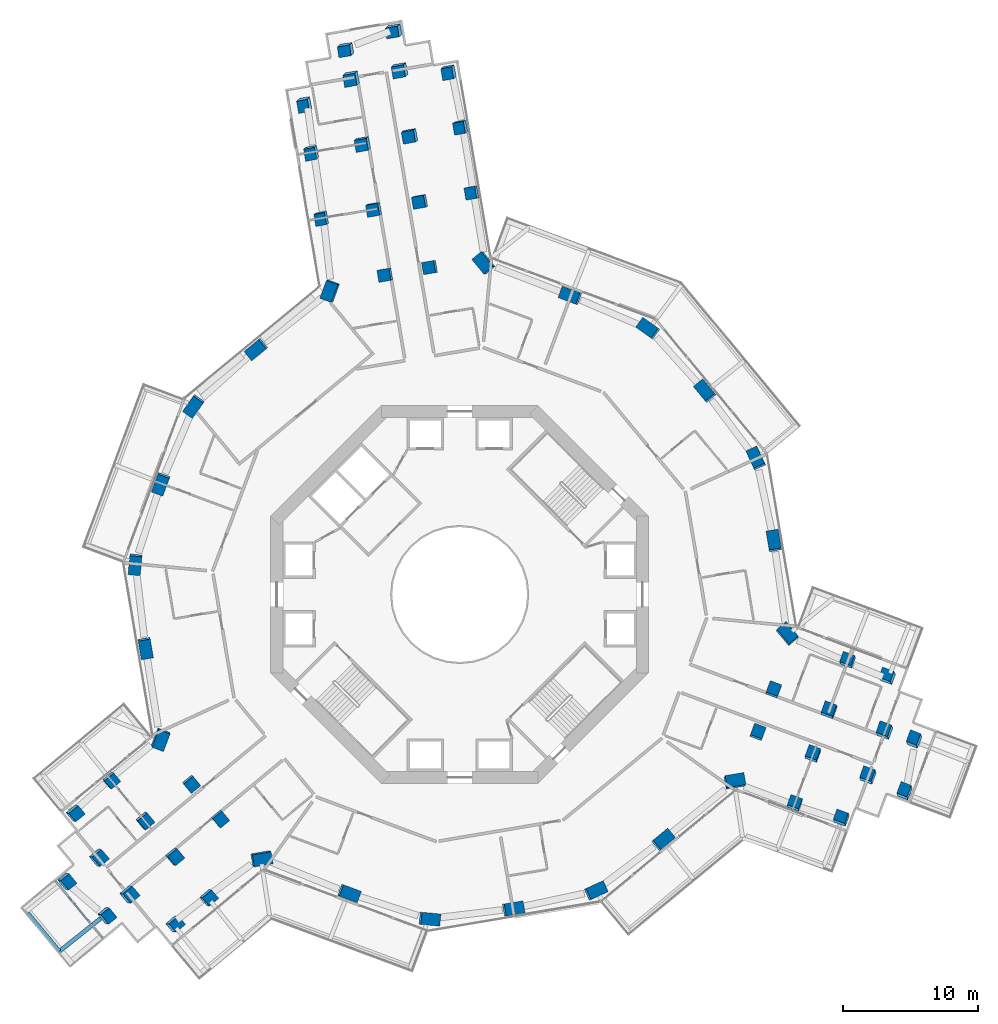
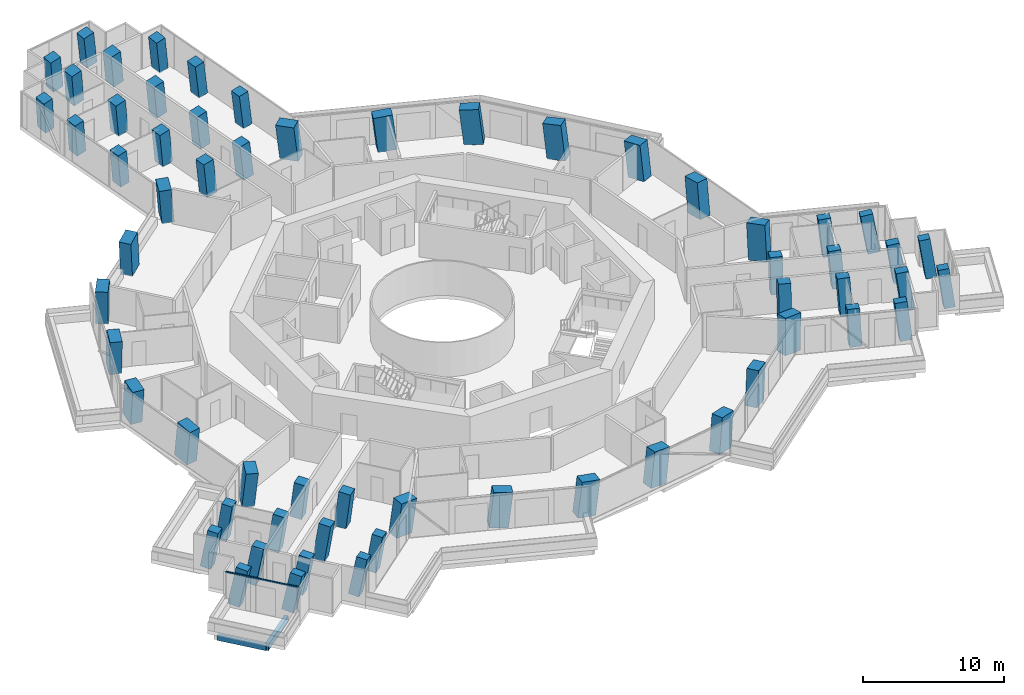
# One storey, part 1 of 27: 61 columns, 2 beams, 1 member, 1 element without a shape of its own.
"""IFC4 building model written with IfcOpenShell, lengths in metres."""

import ifcopenshell
import ifcopenshell.guid

model = None  # the IFC model being written
_history = None  # IfcOwnerHistory: only IFC2X3 demands one
_inside = {}  # id of a spatial element -> (the spatial element, [elements in it])
_under = {}  # id of a project, library or spatial element -> (it, [spatial elements below it])
_declared = {}  # id of a project -> (the project, [libraries it declares])
_typed = {}  # id of a type object -> (the type object, [elements of that type])
_made_of = {}  # id of a material, layer set ... -> (it, [elements and type objects made of it])


def new_model(schema):
    """Start an empty IFC model of exactly this schema.

    Asked for "IFC4X3", IfcOpenShell would pick the latest addendum, in which some entities
    have other attributes; the version numbers below select the first issue.
    IFC2X3 requires an IfcOwnerHistory on every rooted entity: one is made here for all.
    """
    global model, _history
    if schema == "IFC4X3":
        model = ifcopenshell.file(schema_version=(4, 3, 0, 0))
    else:
        model = ifcopenshell.file(schema=schema)
    _inside.clear()
    _under.clear()
    _declared.clear()
    _typed.clear()
    _made_of.clear()
    _history = None
    if model.schema == "IFC2X3":
        org = make("IfcOrganization", Name="unknown")
        user = make(
            "IfcPersonAndOrganization",
            ThePerson=make("IfcPerson", FamilyName="unknown"),
            TheOrganization=org,
        )
        app = make(
            "IfcApplication",
            ApplicationDeveloper=org,
            Version="unknown",
            ApplicationFullName="unknown",
            ApplicationIdentifier="unknown",
        )
        _history = make(
            "IfcOwnerHistory",
            OwningUser=user,
            OwningApplication=app,
            ChangeAction="ADDED",
            CreationDate=0,
        )
    return model


def make(cls, **values):
    """One entity of the class cls with the attributes given. An attribute that is None is left unset."""
    return model.create_entity(
        cls, **{name: value for name, value in values.items() if value is not None}
    )


def rooted(cls, **values):
    """An entity with a GlobalId (a new one), such as an element, a storey or a relation."""
    return make(cls, GlobalId=ifcopenshell.guid.new(), OwnerHistory=_history, **values)


def si_unit(unit_type, name, prefix=None):
    """IfcSIUnit, for example si_unit("LENGTHUNIT", "METRE", prefix="MILLI")."""
    return make("IfcSIUnit", UnitType=unit_type, Prefix=prefix, Name=name)


def assignment(units):
    """IfcUnitAssignment: the units of a project."""
    return None if units is None else make("IfcUnitAssignment", Units=units)


def point(xyz):
    """IfcCartesianPoint."""
    return None if xyz is None else make("IfcCartesianPoint", Coordinates=xyz)


def direction(xyz):
    """IfcDirection."""
    return None if xyz is None else make("IfcDirection", DirectionRatios=xyz)


def frame(location, z_axis=None, x_axis=None):
    """IfcAxis2Placement3D, a coordinate frame: its origin and axes. An axis left out is left unset."""
    return make(
        "IfcAxis2Placement3D",
        Location=point(location),
        Axis=direction(z_axis),
        RefDirection=direction(x_axis),
    )


def frame_2d(location, x_axis=None):
    """IfcAxis2Placement2D, a coordinate frame in the plane: its origin and x axis."""
    return make(
        "IfcAxis2Placement2D", Location=point(location), RefDirection=direction(x_axis)
    )


def origin():
    """The frame at (0, 0, 0) with its axes left unset."""
    return frame((0.0, 0.0, 0.0))


def origin_2d():
    """The frame at (0, 0) in the plane with its x axis left unset."""
    return frame_2d((0.0, 0.0))


def place(relative_to, where):
    """IfcLocalPlacement: puts the frame where relative to a parent placement (None: the world)."""
    return make(
        "IfcLocalPlacement", PlacementRelTo=relative_to, RelativePlacement=where
    )


def context(
    kind, dimensions, precision=None, world=None, true_north=None, identifier=None
):
    """IfcGeometricRepresentationContext, for example the 3D "Model" context."""
    return make(
        "IfcGeometricRepresentationContext",
        ContextIdentifier=identifier,
        ContextType=kind,
        CoordinateSpaceDimension=dimensions,
        Precision=precision,
        WorldCoordinateSystem=world,
        TrueNorth=true_north,
    )


def subcontext(parent, identifier, kind, view, scale=None):
    """IfcGeometricRepresentationSubContext, for example "Body" below "Model"."""
    return make(
        "IfcGeometricRepresentationSubContext",
        ContextIdentifier=identifier,
        ContextType=kind,
        ParentContext=parent,
        TargetScale=scale,
        TargetView=view,
    )


def project(units=None, contexts=None):
    """IfcProject with its units and contexts."""
    return rooted(
        "IfcProject",
        Name="project",
        RepresentationContexts=contexts,
        UnitsInContext=assignment(units),
    )


def spatial(cls, under=None, at=None, **own):
    """A site, building, storey or space (cls), placed at a placement, below another one or the project."""
    s = rooted(cls, ObjectPlacement=at, **own)
    if under is not None:
        _under.setdefault(under.id(), (under, []))[1].append(s)
    return s


def profile(cls, at=None, kind="AREA", **sizes):
    """A parametric profile (cls). Its sizes go by their IFC names, for example OverallWidth=200.0."""
    return make(cls, ProfileType=kind, Position=at, **sizes)


def rectangle(**sizes):
    """IfcRectangleProfileDef."""
    return profile("IfcRectangleProfileDef", **sizes)


def extrude(swept, where, along, depth):
    """IfcExtrudedAreaSolid: the profile swept, set in the frame where, extruded along a direction by depth."""
    return make(
        "IfcExtrudedAreaSolid",
        SweptArea=swept,
        Position=where,
        ExtrudedDirection=direction(along),
        Depth=depth,
    )


def shape(context_of_items, identifier, shape_type, items):
    """IfcShapeRepresentation: the items that make up one representation, for example the "Body"."""
    return make(
        "IfcShapeRepresentation",
        ContextOfItems=context_of_items,
        RepresentationIdentifier=identifier,
        RepresentationType=shape_type,
        Items=items,
    )


def material(Name=None, Category=None):
    """IfcMaterial."""
    return make("IfcMaterial", Name=Name, Category=Category)


def layer(
    of_material, thickness, ventilated=None, Name=None, Category=None, Priority=None
):
    """IfcMaterialLayer: one layer of a wall or slab, of a material (None: an air gap)."""
    return make(
        "IfcMaterialLayer",
        Material=of_material,
        LayerThickness=thickness,
        IsVentilated=ventilated,
        Name=Name,
        Category=Category,
        Priority=Priority,
    )


def layer_set(layers, Name=None):
    """IfcMaterialLayerSet."""
    return make("IfcMaterialLayerSet", MaterialLayers=layers, LayerSetName=Name)


def material_profile(
    of_material, cross_section, Name=None, Category=None, Priority=None
):
    """IfcMaterialProfile: a cross section and its material."""
    return make(
        "IfcMaterialProfile",
        Name=Name,
        Material=of_material,
        Profile=cross_section,
        Priority=Priority,
        Category=Category,
    )


def profile_set(profiles, Name=None, composite=None):
    """IfcMaterialProfileSet."""
    return make(
        "IfcMaterialProfileSet",
        Name=Name,
        MaterialProfiles=profiles,
        CompositeProfile=composite,
    )


def made_of(thing, what):
    """Note that an element or type object is made of a material, layer set ...; save() writes the relation."""
    if what is not None:
        _made_of.setdefault(what.id(), (what, []))[1].append(thing)
    return thing


def type_object(cls, material=None, **own):
    """A type object (cls), such as IfcWallType, which elements share."""
    return made_of(rooted(cls, **own), material)


def element(
    cls,
    number,
    at=None,
    inside=None,
    cuts=None,
    type_object=None,
    material=None,
    context=None,
    identifier="Body",
    shape_type=None,
    held_by="IfcProductDefinitionShape",
    body=None,
    shapes=None,
    **own,
):
    """One element of the class cls, such as IfcWall. Its Tag is "e" and its number.

    at: its placement. inside: the storey or other place that contains it. cuts: it is an
    opening in that element (IfcRelVoidsElement). A single representation is given by context,
    identifier, shape_type and body (its items); several are given by shapes. held_by: the class
    of the entity that holds the representations. save() writes the other relations.
    """
    e = rooted(cls, Tag="e%d" % number, ObjectPlacement=at, **own)
    if body is not None:
        shapes = [shape(context, identifier, shape_type, body)]
    if shapes is not None:
        e.Representation = make(held_by, Representations=shapes)
    if inside is not None:
        _inside.setdefault(inside.id(), (inside, []))[1].append(e)
    if cuts is not None:
        rooted(
            "IfcRelVoidsElement", RelatingBuildingElement=cuts, RelatedOpeningElement=e
        )
    if type_object is not None:
        _typed.setdefault(type_object.id(), (type_object, []))[1].append(e)
    return made_of(e, material)


def aggregate(whole, parts):
    """IfcRelAggregates: a whole, such as a stair, and the parts it consists of."""
    return rooted("IfcRelAggregates", RelatingObject=whole, RelatedObjects=parts)


def save(model, path):
    """Write the relations noted so far, then the file.

    IfcRelAggregates (storeys below a building ...), IfcRelContainedInSpatialStructure (elements
    in a storey), IfcRelDefinesByType, IfcRelAssociatesMaterial and IfcRelDeclares: one each for
    every whole, place, type object, material and project.
    """
    for whole, parts in _under.values():
        aggregate(whole, parts)
    for where, things in _inside.values():
        rooted(
            "IfcRelContainedInSpatialStructure",
            RelatedElements=things,
            RelatingStructure=where,
        )
    for kind, things in _typed.values():
        rooted("IfcRelDefinesByType", RelatedObjects=things, RelatingType=kind)
    for what, things in _made_of.values():
        rooted("IfcRelAssociatesMaterial", RelatedObjects=things, RelatingMaterial=what)
    for by, libraries in _declared.values():
        rooted("IfcRelDeclares", RelatingContext=by, RelatedDefinitions=libraries)
    model.write(path)


model = new_model("IFC4")

# Units and contexts
model_context = context("Model", 3, precision=1e-05, world=origin(), true_north=direction((0.0, 1.0)))
body_context = subcontext(model_context, "Body", "Model", "MODEL_VIEW")
ifc_project = project(units=[si_unit("LENGTHUNIT", "METRE"), si_unit("AREAUNIT", "SQUARE_METRE"), si_unit("VOLUMEUNIT", "CUBIC_METRE"), si_unit("PLANEANGLEUNIT", "RADIAN"), si_unit("MASSUNIT", "GRAM", prefix="KILO")], contexts=[model_context])

# Site, building, storey
site_placement = place(None, origin())
site = spatial("IfcSite", under=ifc_project, at=site_placement, CompositionType="ELEMENT")
building_placement = place(site_placement, origin())
building = spatial("IfcBuilding", under=site, at=building_placement, Name="Verdalira Terraces Hotel", CompositionType="ELEMENT")
storey_placement = place(building_placement, frame((0.0, 0.0, 71.5)))
storey = spatial("IfcBuildingStorey", under=building, at=storey_placement, Name="L16", CompositionType="ELEMENT", Elevation=71.5)

# Columns
ifc_material_1 = material(Name="Concrete C80", Category="concrete")
ifc_material_profile_1 = material_profile(ifc_material_1, rectangle(XDim=1.399902, YDim=0.899902, at=origin_2d()), Name="RC 1400X900")
ifc_profile_set_1 = profile_set([ifc_material_profile_1], Name="Concrete C80")
column_type_1 = type_object("IfcColumnType", Name="Column RC 1400X900 C80", PredefinedType="COLUMN", material=ifc_profile_set_1)
column_1_placement = place(storey_placement, frame((-9.566895, 22.504639, 0.0), z_axis=(-0.10669238, -0.04639502, 0.993209061), x_axis=(0.341232847, 0.93653373, 0.08040346)))
element("IfcColumn", 1, at=column_1_placement, inside=storey, type_object=column_type_1, Name="Column C07", PredefinedType="COLUMN", context=body_context, shape_type="SweptSolid", body=[
    extrude(rectangle(XDim=1.399902, YDim=0.899902, at=origin_2d()), origin(), (0.0, 0.0, 1.0), 3.020508),
])
column_2_placement = place(storey_placement, frame((-15.048584, 18.19043, 0.0), z_axis=(-0.085879498, -0.072294041, 0.993679165), x_axis=(-0.765590624, -0.633458898, -0.112253377)))
element("IfcColumn", 2, at=column_2_placement, inside=storey, type_object=column_type_1, Name="Column C08", PredefinedType="COLUMN", context=body_context, shape_type="SweptSolid", body=[
    extrude(rectangle(XDim=1.399902, YDim=0.899902, at=origin_2d()), origin(), (0.0, 0.0, 1.0), 3.019043),
])
column_3_placement = place(storey_placement, frame((-19.686279, 13.990479, 0.0), z_axis=(-0.065804824, -0.094180123, 0.993377989), x_axis=(0.575853797, 0.809440036, 0.11488791)))
element("IfcColumn", 3, at=column_3_placement, inside=storey, type_object=column_type_1, Name="Column C09", PredefinedType="COLUMN", context=body_context, shape_type="SweptSolid", body=[
    extrude(rectangle(XDim=1.399902, YDim=0.899902, at=origin_2d()), origin(), (0.0, 0.0, 1.0), 3.02002),
])
column_4_placement = place(storey_placement, frame((-22.127686, 8.229248, 0.0), z_axis=(-0.038249246, -0.105609969, 0.993671741), x_axis=(-0.346289556, -0.931379606, -0.112319069)))
element("IfcColumn", 4, at=column_4_placement, inside=storey, type_object=column_type_1, Name="Column C10", PredefinedType="COLUMN", context=body_context, shape_type="SweptSolid", body=[
    extrude(rectangle(XDim=1.399902, YDim=0.899902, at=origin_2d()), origin(), (0.0, 0.0, 1.0), 3.019043),
])
column_5_placement = place(storey_placement, frame((-24.044189, 2.272705, 0.0), z_axis=(-0.009781893, -0.114391555, 0.993387581), x_axis=(0.093037691, 0.989021644, 0.114804947)))
element("IfcColumn", 5, at=column_5_placement, inside=storey, type_object=column_type_1, Name="Column C11", PredefinedType="COLUMN", context=body_context, shape_type="SweptSolid", body=[
    extrude(rectangle(XDim=1.399902, YDim=0.899902, at=origin_2d()), origin(), (0.0, 0.0, 1.0), 3.02002),
])
column_6_placement = place(storey_placement, frame((-23.277588, -3.937012, 0.0), z_axis=(0.019569342, -0.110623387, 0.993669717), x_axis=(0.164784415, -0.979911476, -0.112336973)))
element("IfcColumn", 6, at=column_6_placement, inside=storey, type_object=column_type_1, Name="Column C12", PredefinedType="COLUMN", context=body_context, shape_type="SweptSolid", body=[
    extrude(rectangle(XDim=1.399902, YDim=0.899902, at=origin_2d()), origin(), (0.0, 0.0, 1.0), 3.019043),
])
column_7_placement = place(storey_placement, frame((-22.185303, -10.696045, 0.0), z_axis=(0.051725394, -0.104986385, 0.993127556), x_axis=(0.35372815, 0.931912919, 0.080091867)))
element("IfcColumn", 7, at=column_7_placement, inside=storey, type_object=column_type_1, Name="Column C13", PredefinedType="COLUMN", context=body_context, shape_type="SweptSolid", body=[
    extrude(rectangle(XDim=1.399902, YDim=0.899902, at=origin_2d()), origin(), (0.0, 0.0, 1.0), 3.020752),
])
column_8_placement = place(storey_placement, frame((-14.706055, -19.537598, 0.0), z_axis=(0.09351816, -0.069108061, 0.993216205), x_axis=(-0.981577909, -0.173340331, 0.0803613)))
element("IfcColumn", 8, at=column_8_placement, inside=storey, type_object=column_type_1, Name="Column C20", PredefinedType="COLUMN", context=body_context, shape_type="SweptSolid", body=[
    extrude(rectangle(XDim=1.399902, YDim=0.899902, at=origin_2d()), origin(), (0.0, 0.0, 1.0), 3.020508),
])
column_9_placement = place(storey_placement, frame((-8.229248, -22.127686, 0.0), z_axis=(0.105609969, -0.038249246, 0.993671741), x_axis=(0.931379606, -0.346289556, -0.112319069)))
element("IfcColumn", 9, at=column_9_placement, inside=storey, type_object=column_type_1, Name="Column C21", PredefinedType="COLUMN", context=body_context, shape_type="SweptSolid", body=[
    extrude(rectangle(XDim=1.399902, YDim=0.899902, at=origin_2d()), origin(), (0.0, 0.0, 1.0), 3.019043),
])
column_10_placement = place(storey_placement, frame((-2.272705, -24.044189, 0.0), z_axis=(0.114391555, -0.009781893, 0.993387581), x_axis=(-0.989021644, 0.093037691, 0.114804947)))
element("IfcColumn", 10, at=column_10_placement, inside=storey, type_object=column_type_1, Name="Column C22", PredefinedType="COLUMN", context=body_context, shape_type="SweptSolid", body=[
    extrude(rectangle(XDim=1.399902, YDim=0.899902, at=origin_2d()), origin(), (0.0, 0.0, 1.0), 3.02002),
])
column_11_placement = place(storey_placement, frame((3.937012, -23.277588, 0.0), z_axis=(0.110623387, 0.019569342, 0.993669717), x_axis=(0.979911476, 0.164784415, -0.112336973)))
element("IfcColumn", 11, at=column_11_placement, inside=storey, type_object=column_type_1, Name="Column C23", PredefinedType="COLUMN", context=body_context, shape_type="SweptSolid", body=[
    extrude(rectangle(XDim=1.399902, YDim=0.899902, at=origin_2d()), origin(), (0.0, 0.0, 1.0), 3.019043),
])
column_12_placement = place(storey_placement, frame((10.053711, -21.959229, 0.0), z_axis=(0.104043119, 0.048666634, 0.993381391), x_axis=(-0.903351173, -0.413236233, 0.114858494)))
element("IfcColumn", 12, at=column_12_placement, inside=storey, type_object=column_type_1, Name="Column C24", PredefinedType="COLUMN", context=body_context, shape_type="SweptSolid", body=[
    extrude(rectangle(XDim=1.399902, YDim=0.899902, at=origin_2d()), origin(), (0.0, 0.0, 1.0), 3.02002),
])
column_13_placement = place(storey_placement, frame((15.048584, -18.19043, 0.0), z_axis=(0.085879498, 0.072294041, 0.993679165), x_axis=(0.765590624, 0.633458898, -0.112253377)))
element("IfcColumn", 13, at=column_13_placement, inside=storey, type_object=column_type_1, Name="Column C25", PredefinedType="COLUMN", context=body_context, shape_type="SweptSolid", body=[
    extrude(rectangle(XDim=1.399902, YDim=0.899902, at=origin_2d()), origin(), (0.0, 0.0, 1.0), 3.019043),
])
column_14_placement = place(storey_placement, frame((20.355713, -13.86499, 0.0), z_axis=(0.065060711, 0.097308193, 0.99312548), x_axis=(-0.983911636, -0.159691124, 0.080103921)))
element("IfcColumn", 14, at=column_14_placement, inside=storey, type_object=column_type_1, Name="Column C26", PredefinedType="COLUMN", context=body_context, shape_type="SweptSolid", body=[
    extrude(rectangle(XDim=1.399902, YDim=0.899902, at=origin_2d()), origin(), (0.0, 0.0, 1.0), 3.020752),
])
column_15_placement = place(storey_placement, frame((24.273193, -2.967041, 0.0), z_axis=(0.013094218, 0.115503939, 0.993220711), x_axis=(0.640850903, -0.763450363, 0.080334694)))
element("IfcColumn", 15, at=column_15_placement, inside=storey, type_object=column_type_1, Name="Column C33", PredefinedType="COLUMN", context=body_context, shape_type="SweptSolid", body=[
    extrude(rectangle(XDim=1.399902, YDim=0.899902, at=origin_2d()), origin(), (0.0, 0.0, 1.0), 3.020508),
])
column_16_placement = place(storey_placement, frame((23.277588, 3.937012, 0.0), z_axis=(-0.019569342, 0.110623387, 0.993669717), x_axis=(-0.164784415, 0.979911476, -0.112336973)))
element("IfcColumn", 16, at=column_16_placement, inside=storey, type_object=column_type_1, Name="Column C34", PredefinedType="COLUMN", context=body_context, shape_type="SweptSolid", body=[
    extrude(rectangle(XDim=1.399902, YDim=0.899902, at=origin_2d()), origin(), (0.0, 0.0, 1.0), 3.019043),
])
column_17_placement = place(storey_placement, frame((21.959229, 10.053711, 0.0), z_axis=(-0.048666634, 0.104043119, 0.993381391), x_axis=(0.413236233, -0.903351173, 0.114858494)))
element("IfcColumn", 17, at=column_17_placement, inside=storey, type_object=column_type_1, Name="Column C35", PredefinedType="COLUMN", context=body_context, shape_type="SweptSolid", body=[
    extrude(rectangle(XDim=1.399902, YDim=0.899902, at=origin_2d()), origin(), (0.0, 0.0, 1.0), 3.02002),
])
column_18_placement = place(storey_placement, frame((18.19043, 15.048584, 0.0), z_axis=(-0.072294041, 0.085879498, 0.993679165), x_axis=(-0.633458898, 0.765590624, -0.112253377)))
element("IfcColumn", 18, at=column_18_placement, inside=storey, type_object=column_type_1, Name="Column C36", PredefinedType="COLUMN", context=body_context, shape_type="SweptSolid", body=[
    extrude(rectangle(XDim=1.399902, YDim=0.899902, at=origin_2d()), origin(), (0.0, 0.0, 1.0), 3.019043),
])
column_19_placement = place(storey_placement, frame((13.990479, 19.686279, 0.0), z_axis=(-0.094180123, 0.065804824, 0.993377989), x_axis=(0.809440036, -0.575853797, 0.11488791)))
element("IfcColumn", 19, at=column_19_placement, inside=storey, type_object=column_type_1, Name="Column C37", PredefinedType="COLUMN", context=body_context, shape_type="SweptSolid", body=[
    extrude(rectangle(XDim=1.399902, YDim=0.899902, at=origin_2d()), origin(), (0.0, 0.0, 1.0), 3.02002),
])
column_20_placement = place(storey_placement, frame((8.229248, 22.127686, 0.0), z_axis=(-0.105609969, 0.038249246, 0.993671741), x_axis=(-0.931379606, 0.346289556, -0.112319069)))
element("IfcColumn", 20, at=column_20_placement, inside=storey, type_object=column_type_1, Name="Column C38", PredefinedType="COLUMN", context=body_context, shape_type="SweptSolid", body=[
    extrude(rectangle(XDim=1.399902, YDim=0.899902, at=origin_2d()), origin(), (0.0, 0.0, 1.0), 3.019043),
])
column_21_placement = place(storey_placement, frame((1.82959, 24.561035, 0.0), z_axis=(-0.116786221, 0.007677987, 0.993127397), x_axis=(0.630326935, -0.772187219, 0.08009279)))
element("IfcColumn", 21, at=column_21_placement, inside=storey, type_object=column_type_1, Name="Column C39", PredefinedType="COLUMN", context=body_context, shape_type="SweptSolid", body=[
    extrude(rectangle(XDim=1.399902, YDim=0.899902, at=origin_2d()), origin(), (0.0, 0.0, 1.0), 3.020752),
])
ifc_material_2 = material(Name="Concrete C80", Category="concrete")
ifc_material_profile_2 = material_profile(ifc_material_2, rectangle(XDim=0.899902, YDim=0.800049, at=origin_2d()), Name="RC 900X800")
ifc_profile_set_2 = profile_set([ifc_material_profile_2], Name="Concrete C80")
column_type_2 = type_object("IfcColumnType", Name="Column RC 900X800 C80", PredefinedType="COLUMN", material=ifc_profile_set_2)
column_22_placement = place(storey_placement, frame((0.947998, 29.773193, 0.0), z_axis=(-0.133380788, -0.038362088, 0.990322127), x_axis=(-0.168662477, 0.985552597, 0.015461152)))
element("IfcColumn", 22, at=column_22_placement, inside=storey, type_object=column_type_2, Name="Column C01", PredefinedType="COLUMN", context=body_context, shape_type="SweptSolid", body=[
    extrude(rectangle(XDim=0.899902, YDim=0.800049, at=origin_2d()), origin(), (0.0, 0.0, 1.0), 3.029297),
])
column_23_placement = place(storey_placement, frame((0.124268, 34.644043, 0.0), z_axis=(-0.147959805, -0.083803792, 0.98543636), x_axis=(-0.175664631, 0.982786727, 0.057203034)))
element("IfcColumn", 23, at=column_23_placement, inside=storey, type_object=column_type_2, Name="Column C02", PredefinedType="COLUMN", context=body_context, shape_type="SweptSolid", body=[
    extrude(rectangle(XDim=0.899902, YDim=0.800049, at=origin_2d()), origin(), (0.0, 0.0, 1.0), 3.044434),
])
column_24_placement = place(storey_placement, frame((-0.730713, 38.73877, 0.0), z_axis=(-0.158457491, -0.128662065, 0.978947035), x_axis=(-0.183653648, 0.978012024, 0.098812037)))
element("IfcColumn", 24, at=column_24_placement, inside=storey, type_object=column_type_2, Name="Column C03", PredefinedType="COLUMN", context=body_context, shape_type="SweptSolid", body=[
    extrude(rectangle(XDim=0.899902, YDim=0.800049, at=origin_2d()), origin(), (0.0, 0.0, 1.0), 3.064453),
])
column_25_placement = place(storey_placement, frame((-11.42749, 36.381836, 0.0), z_axis=(-0.14604305, -0.177643471, 0.973197937), x_axis=(0.191273283, -0.970253178, -0.148402502)))
element("IfcColumn", 25, at=column_25_placement, inside=storey, type_object=column_type_2, Name="Column C04", PredefinedType="COLUMN", context=body_context, shape_type="SweptSolid", body=[
    extrude(rectangle(XDim=0.899902, YDim=0.800049, at=origin_2d()), origin(), (0.0, 0.0, 1.0), 3.08252),
])
column_26_placement = place(storey_placement, frame((-10.918945, 32.776123, 0.0), z_axis=(-0.138133233, -0.135178938, 0.98114518), x_axis=(0.182849866, -0.977093433, -0.108877679)))
element("IfcColumn", 26, at=column_26_placement, inside=storey, type_object=column_type_2, Name="Column C05", PredefinedType="COLUMN", context=body_context, shape_type="SweptSolid", body=[
    extrude(rectangle(XDim=0.899902, YDim=0.800049, at=origin_2d()), origin(), (0.0, 0.0, 1.0), 3.057617),
])
column_27_placement = place(storey_placement, frame((-10.183838, 27.890381, 0.0), z_axis=(-0.123759113, -0.090869264, 0.988142934), x_axis=(0.17560442, -0.982087372, -0.068318972)))
element("IfcColumn", 27, at=column_27_placement, inside=storey, type_object=column_type_2, Name="Column C06", PredefinedType="COLUMN", context=body_context, shape_type="SweptSolid", body=[
    extrude(rectangle(XDim=0.899902, YDim=0.800049, at=origin_2d()), origin(), (0.0, 0.0, 1.0), 3.035889),
])
column_28_placement = place(storey_placement, frame((-25.850098, -13.727783, 0.0), z_axis=(0.114422647, -0.080579329, 0.99015879), x_axis=(-0.766781351, -0.640872377, 0.036454845)))
element("IfcColumn", 28, at=column_28_placement, inside=storey, type_object=column_type_2, Name="Column C14", PredefinedType="COLUMN", context=body_context, shape_type="SweptSolid", body=[
    extrude(rectangle(XDim=0.899902, YDim=0.800049, at=origin_2d()), origin(), (0.0, 0.0, 1.0), 3.029785),
])
column_29_placement = place(storey_placement, frame((-28.560303, -16.17749, 0.0), z_axis=(0.173361115, -0.051704192, 0.983500178), x_axis=(-0.757151736, -0.645613392, 0.099521843)))
element("IfcColumn", 29, at=column_29_placement, inside=storey, type_object=column_type_2, Name="Column C15", PredefinedType="COLUMN", context=body_context, shape_type="SweptSolid", body=[
    extrude(rectangle(XDim=0.899902, YDim=0.800049, at=origin_2d()), origin(), (0.0, 0.0, 1.0), 3.050293),
])
column_30_placement = place(storey_placement, frame((-29.194336, -21.231445, 0.0), z_axis=(0.196241765, -0.054179619, 0.979057577), x_axis=(0.613201218, -0.772362588, -0.165651136)))
element("IfcColumn", 30, at=column_30_placement, inside=storey, type_object=column_type_2, Name="Column C16", PredefinedType="COLUMN", context=body_context, shape_type="SweptSolid", body=[
    extrude(rectangle(XDim=0.899902, YDim=0.800049, at=origin_2d()), origin(), (0.0, 0.0, 1.0), 3.064209),
])
column_31_placement = place(storey_placement, frame((-26.238037, -23.769531, 0.0), z_axis=(0.207675788, -0.04016709, 0.977372688), x_axis=(0.611616897, -0.774435399, -0.161785612)))
element("IfcColumn", 31, at=column_31_placement, inside=storey, type_object=column_type_2, Name="Column C17", PredefinedType="COLUMN", context=body_context, shape_type="SweptSolid", body=[
    extrude(rectangle(XDim=0.899902, YDim=0.800049, at=origin_2d()), origin(), (0.0, 0.0, 1.0), 3.069336),
])
column_32_placement = place(storey_placement, frame((-21.184082, -24.403564, 0.0), z_axis=(0.21047841, -0.016465998, 0.977459825), x_axis=(0.747218961, 0.64743007, -0.149993762)))
element("IfcColumn", 32, at=column_32_placement, inside=storey, type_object=column_type_2, Name="Column C18", PredefinedType="COLUMN", context=body_context, shape_type="SweptSolid", body=[
    extrude(rectangle(XDim=0.899902, YDim=0.800049, at=origin_2d()), origin(), (0.0, 0.0, 1.0), 3.069092),
])
column_33_placement = place(storey_placement, frame((-18.647217, -22.43457, 0.0), z_axis=(0.154919437, -0.045937749, 0.986858496), x_axis=(0.75953907, 0.644310697, -0.089241955)))
element("IfcColumn", 33, at=column_33_placement, inside=storey, type_object=column_type_2, Name="Column C19", PredefinedType="COLUMN", context=body_context, shape_type="SweptSolid", body=[
    extrude(rectangle(XDim=0.899902, YDim=0.800049, at=origin_2d()), origin(), (0.0, 0.0, 1.0), 3.040039),
])
column_34_placement = place(storey_placement, frame((24.813721, -15.522949, 0.0), z_axis=(0.012570341, 0.13940186, 0.990156103), x_axis=(0.938411837, -0.343589736, 0.036459798)))
element("IfcColumn", 34, at=column_34_placement, inside=storey, type_object=column_type_2, Name="Column C27", PredefinedType="COLUMN", context=body_context, shape_type="SweptSolid", body=[
    extrude(rectangle(XDim=0.899902, YDim=0.800049, at=origin_2d()), origin(), (0.0, 0.0, 1.0), 3.029785),
])
column_35_placement = place(storey_placement, frame((28.290283, -16.645264, 0.0), z_axis=(-0.041940039, 0.175924056, 0.983509918), x_axis=(0.93778719, -0.332650547, 0.099492708)))
element("IfcColumn", 35, at=column_35_placement, inside=storey, type_object=column_type_2, Name="Column C28", PredefinedType="COLUMN", context=body_context, shape_type="SweptSolid", body=[
    extrude(rectangle(XDim=0.899902, YDim=0.800049, at=origin_2d()), origin(), (0.0, 0.0, 1.0), 3.050293),
])
column_36_placement = place(storey_placement, frame((32.984131, -14.667236, 0.0), z_axis=(-0.051152076, 0.197039072, 0.979060299), x_axis=(0.362492013, 0.917149263, -0.165640483)))
element("IfcColumn", 36, at=column_36_placement, inside=storey, type_object=column_type_2, Name="Column C29", PredefinedType="COLUMN", context=body_context, shape_type="SweptSolid", body=[
    extrude(rectangle(XDim=0.899902, YDim=0.800049, at=origin_2d()), origin(), (0.0, 0.0, 1.0), 3.064209),
])
column_37_placement = place(storey_placement, frame((33.704102, -10.838135, 0.0), z_axis=(-0.069039394, 0.19995972, 0.97736875), x_axis=(0.364959103, 0.916856458, -0.161799531)))
element("IfcColumn", 37, at=column_37_placement, inside=storey, type_object=column_type_2, Name="Column C30", PredefinedType="COLUMN", context=body_context, shape_type="SweptSolid", body=[
    extrude(rectangle(XDim=0.899902, YDim=0.800049, at=origin_2d()), origin(), (0.0, 0.0, 1.0), 3.06958),
])
column_38_placement = place(storey_placement, frame((31.726318, -6.144287, 0.0), z_axis=(-0.09100032, 0.190512033, 0.977457982), x_axis=(-0.934329354, 0.323309002, -0.149999824)))
element("IfcColumn", 38, at=column_38_placement, inside=storey, type_object=column_type_2, Name="Column C31", PredefinedType="COLUMN", context=body_context, shape_type="SweptSolid", body=[
    extrude(rectangle(XDim=0.899902, YDim=0.800049, at=origin_2d()), origin(), (0.0, 0.0, 1.0), 3.069092),
])
column_39_placement = place(storey_placement, frame((28.752441, -4.931641, 0.0), z_axis=(-0.037585352, 0.157167809, 0.986856434), x_axis=(-0.937557691, 0.336184783, -0.089248911)))
element("IfcColumn", 39, at=column_39_placement, inside=storey, type_object=column_type_2, Name="Column C32", PredefinedType="COLUMN", context=body_context, shape_type="SweptSolid", body=[
    extrude(rectangle(XDim=0.899902, YDim=0.800049, at=origin_2d()), origin(), (0.0, 0.0, 1.0), 3.040039),
])
column_40_placement = place(storey_placement, frame((-4.790527, 41.814697, 0.0), z_axis=(-0.171783064, -0.147050108, 0.974097965), x_axis=(-0.971091022, -0.141088982, -0.19255162)))
element("IfcColumn", 40, at=column_40_placement, inside=storey, type_object=column_type_2, Name="Column C40", PredefinedType="COLUMN", context=body_context, shape_type="SweptSolid", body=[
    extrude(rectangle(XDim=0.899902, YDim=0.800049, at=origin_2d()), origin(), (0.0, 0.0, 1.0), 3.079834),
])
column_41_placement = place(storey_placement, frame((-8.351318, 40.44165, 0.0), z_axis=(-0.165115979, -0.163374583, 0.972648682), x_axis=(-0.972358847, -0.138110629, -0.188265047)))
element("IfcColumn", 41, at=column_41_placement, inside=storey, type_object=column_type_2, Name="Column C41", PredefinedType="COLUMN", context=body_context, shape_type="SweptSolid", body=[
    extrude(rectangle(XDim=0.899902, YDim=0.800049, at=origin_2d()), origin(), (0.0, 0.0, 1.0), 3.084473),
])
ifc_material_3 = material(Name="Concrete C80", Category="concrete")
ifc_material_profile_3 = material_profile(ifc_material_3, rectangle(XDim=0.899902, YDim=0.899902, at=origin_2d()), Name="RC 900X900")
ifc_profile_set_3 = profile_set([ifc_material_profile_3], Name="Concrete C80")
column_type_3 = type_object("IfcColumnType", Name="Column RC 900X900 C80", PredefinedType="COLUMN", material=ifc_profile_set_3)
for number, where, z_axis, x_axis, name in (
    (42, (-2.165771, 24.236572, 0.0), (-0.11518742, -0.011316659, 0.993279312), (-0.166265049, 0.986048265, -0.008046951), "Column C42"),
    (43, (-5.475098, 23.676758, 0.0), (-0.11244048, -0.026998649, 0.993291604), (-0.16768042, 0.985810438, 0.007813902), "Column C43"),
):
    element("IfcColumn", number, at=place(storey_placement, frame(where, z_axis=z_axis, x_axis=x_axis)), inside=storey, type_object=column_type_3, Name=name, PredefinedType="COLUMN", context=body_context, shape_type="SweptSolid", body=[
        extrude(rectangle(XDim=0.899902, YDim=0.899902, at=origin_2d()), origin(), (0.0, 0.0, 1.0), 3.020264),
    ])
column_42_placement = place(storey_placement, frame((-2.895508, 29.123291, 0.0), z_axis=(-0.130099876, -0.056551153, 0.989886857), x_axis=(-0.171225302, 0.984653723, 0.033748214)))
element("IfcColumn", 44, at=column_42_placement, inside=storey, type_object=column_type_3, Name="Column C44", PredefinedType="COLUMN", context=body_context, shape_type="SweptSolid", body=[
    extrude(rectangle(XDim=0.899902, YDim=0.899902, at=origin_2d()), origin(), (0.0, 0.0, 1.0), 3.030762),
])
column_43_placement = place(storey_placement, frame((-6.299072, 28.547607, 0.0), z_axis=(-0.127194157, -0.072613373, 0.989216328), x_axis=(-0.173230764, 0.98361491, 0.049928063)))
element("IfcColumn", 45, at=column_43_placement, inside=storey, type_object=column_type_3, Name="Column C45", PredefinedType="COLUMN", context=body_context, shape_type="SweptSolid", body=[
    extrude(rectangle(XDim=0.899902, YDim=0.899902, at=origin_2d()), origin(), (0.0, 0.0, 1.0), 3.032715),
])
column_44_placement = place(storey_placement, frame((-3.625, 34.01001, 0.0), z_axis=(-0.144662132, -0.101327573, 0.984279224), x_axis=(-0.178149906, 0.981154509, 0.074822731)))
element("IfcColumn", 46, at=column_44_placement, inside=storey, type_object=column_type_3, Name="Column C46", PredefinedType="COLUMN", context=body_context, shape_type="SweptSolid", body=[
    extrude(rectangle(XDim=0.899902, YDim=0.899902, at=origin_2d()), origin(), (0.0, 0.0, 1.0), 3.047852),
])
column_45_placement = place(storey_placement, frame((-7.122803, 33.418213, 0.0), z_axis=(-0.14150406, -0.117586754, 0.982929273), x_axis=(-0.180493597, 0.979341347, 0.091173389)))
element("IfcColumn", 47, at=column_45_placement, inside=storey, type_object=column_type_3, Name="Column C47", PredefinedType="COLUMN", context=body_context, shape_type="SweptSolid", body=[
    extrude(rectangle(XDim=0.899902, YDim=0.899902, at=origin_2d()), origin(), (0.0, 0.0, 1.0), 3.052002),
])
column_46_placement = place(storey_placement, frame((-4.354492, 38.896484, 0.0), z_axis=(-0.158632402, -0.145280577, 0.976590659), x_axis=(-0.186666655, 0.975689853, 0.114825391)))
element("IfcColumn", 48, at=column_46_placement, inside=storey, type_object=column_type_3, Name="Column C48", PredefinedType="COLUMN", context=body_context, shape_type="SweptSolid", body=[
    extrude(rectangle(XDim=0.899902, YDim=0.899902, at=origin_2d()), origin(), (0.0, 0.0, 1.0), 3.072021),
])
column_47_placement = place(storey_placement, frame((-7.946777, 38.289062, 0.0), z_axis=(-0.155286225, -0.161710221, 0.974543992), x_axis=(-0.189421471, 0.973079609, 0.131284349)))
element("IfcColumn", 49, at=column_47_placement, inside=storey, type_object=column_type_3, Name="Column C49", PredefinedType="COLUMN", context=body_context, shape_type="SweptSolid", body=[
    extrude(rectangle(XDim=0.899902, YDim=0.899902, at=origin_2d()), origin(), (0.0, 0.0, 1.0), 3.078369),
])
for number, where, z_axis, x_axis, name in (
    (50, (-19.906494, -13.993896, 0.0), (0.067334437, -0.094090377, 0.993283985), (-0.771056766, -0.6367156, -0.008044163), "Column C50"),
    (51, (-17.76709, -16.580078, 0.0), (0.07954166, -0.083825916, 0.99330073), (-0.769943667, -0.638064085, 0.007808603), "Column C51"),
):
    element("IfcColumn", number, at=place(storey_placement, frame(where, z_axis=z_axis, x_axis=x_axis)), inside=storey, type_object=column_type_3, Name=name, PredefinedType="COLUMN", context=body_context, shape_type="SweptSolid", body=[
        extrude(rectangle(XDim=0.899902, YDim=0.899902, at=origin_2d()), origin(), (0.0, 0.0, 1.0), 3.020264),
    ])
column_48_placement = place(storey_placement, frame((-23.36377, -16.733154, 0.0), z_axis=(0.128496847, -0.068676573, 0.98932911), x_axis=(-0.764680989, -0.642079198, 0.054747502)))
element("IfcColumn", 52, at=column_48_placement, inside=storey, type_object=column_type_3, Name="Column C52", PredefinedType="COLUMN", context=body_context, shape_type="SweptSolid", body=[
    extrude(rectangle(XDim=0.899902, YDim=0.899902, at=origin_2d()), origin(), (0.0, 0.0, 1.0), 3.032471),
])
column_49_placement = place(storey_placement, frame((-21.165039, -19.391113, 0.0), z_axis=(0.140833627, -0.058070747, 0.98832873), x_axis=(-0.762427688, -0.64318269, 0.070852293)))
element("IfcColumn", 53, at=column_49_placement, inside=storey, type_object=column_type_3, Name="Column C53", PredefinedType="COLUMN", context=body_context, shape_type="SweptSolid", body=[
    extrude(rectangle(XDim=0.899902, YDim=0.899902, at=origin_2d()), origin(), (0.0, 0.0, 1.0), 3.0354),
])
column_50_placement = place(storey_placement, frame((-26.821045, -19.472412, 0.0), z_axis=(0.188357193, -0.043196796, 0.981150144), x_axis=(-0.753553634, -0.64703925, 0.116177147)))
element("IfcColumn", 54, at=column_50_placement, inside=storey, type_object=column_type_3, Name="Column C54", PredefinedType="COLUMN", context=body_context, shape_type="SweptSolid", body=[
    extrude(rectangle(XDim=0.899902, YDim=0.899902, at=origin_2d()), origin(), (0.0, 0.0, 1.0), 3.057617),
])
column_51_placement = place(storey_placement, frame((-24.562988, -22.201904, 0.0), z_axis=(0.200714411, -0.03250952, 0.979110237), x_axis=(-0.750630806, -0.647323681, 0.132383703)))
element("IfcColumn", 55, at=column_51_placement, inside=storey, type_object=column_type_3, Name="Column C55", PredefinedType="COLUMN", context=body_context, shape_type="SweptSolid", body=[
    extrude(rectangle(XDim=0.899902, YDim=0.899902, at=origin_2d()), origin(), (0.0, 0.0, 1.0), 3.063965),
])
for number, where, z_axis, x_axis, name in (
    (56, (22.07251, -10.242676, 0.0), (0.047772549, 0.105406775, 0.993281025), (0.937123674, -0.34890469, -0.008045929), "Column C56"),
    (57, (23.242188, -7.09668, 0.0), (0.032819221, 0.110744661, 0.99330686), (0.937521118, -0.347840819, 0.007805041), "Column C57"),
):
    element("IfcColumn", number, at=place(storey_placement, frame(where, z_axis=z_axis, x_axis=x_axis)), inside=storey, type_object=column_type_3, Name=name, PredefinedType="COLUMN", context=body_context, shape_type="SweptSolid", body=[
        extrude(rectangle(XDim=0.899902, YDim=0.899902, at=origin_2d()), origin(), (0.0, 0.0, 1.0), 3.020264),
    ])
column_52_placement = place(storey_placement, frame((26.173096, -11.867188, 0.0), z_axis=(-0.004750179, 0.145645326, 0.989325465), x_axis=(0.93834252, -0.341342946, 0.054756803)))
element("IfcColumn", 58, at=column_52_placement, inside=storey, type_object=column_type_3, Name="Column C58", PredefinedType="COLUMN", context=body_context, shape_type="SweptSolid", body=[
    extrude(rectangle(XDim=0.899902, YDim=0.899902, at=origin_2d()), origin(), (0.0, 0.0, 1.0), 3.032471),
])
column_53_placement = place(storey_placement, frame((27.375488, -8.633789, 0.0), z_axis=(-0.020107707, 0.150968666, 0.988334024), x_axis=(0.938195697, -0.338778763, 0.070836317)))
element("IfcColumn", 59, at=column_53_placement, inside=storey, type_object=column_type_3, Name="Column C59", PredefinedType="COLUMN", context=body_context, shape_type="SweptSolid", body=[
    extrude(rectangle(XDim=0.899902, YDim=0.899902, at=origin_2d()), origin(), (0.0, 0.0, 1.0), 3.0354),
])
column_54_placement = place(storey_placement, frame((30.27417, -13.491455, 0.0), z_axis=(-0.056771025, 0.184685488, 0.981156624), x_axis=(0.937151089, -0.329021737, 0.116157365)))
element("IfcColumn", 60, at=column_54_placement, inside=storey, type_object=column_type_3, Name="Column C60", PredefinedType="COLUMN", context=body_context, shape_type="SweptSolid", body=[
    extrude(rectangle(XDim=0.899902, YDim=0.899902, at=origin_2d()), origin(), (0.0, 0.0, 1.0), 3.057617),
])
column_55_placement = place(storey_placement, frame((31.509033, -10.170898, 0.0), z_axis=(-0.072272343, 0.189884226, 0.979142834), x_axis=(0.936136292, -0.325807394, 0.132281465)))
element("IfcColumn", 61, at=column_55_placement, inside=storey, type_object=column_type_3, Name="Column C61", PredefinedType="COLUMN", context=body_context, shape_type="SweptSolid", body=[
    extrude(rectangle(XDim=0.899902, YDim=0.899902, at=origin_2d()), origin(), (0.0, 0.0, 1.0), 3.063965),
])

# Beams
ifc_material_4 = material(Name="Concrete C40", Category="concrete")
ifc_material_profile_4 = material_profile(ifc_material_4, rectangle(XDim=0.300049, YDim=0.5, at=origin_2d()), Name="RC 300X500")
ifc_profile_set_4 = profile_set([ifc_material_profile_4], Name="Concrete C40")
beam_type_1 = type_object("IfcBeamType", Name="Balcony cantilever beam RC 300X500 C40", PredefinedType="BEAM", material=ifc_profile_set_4)
beam_1_placement = place(storey_placement, frame((-26.614502, -24.003418, -0.560059), z_axis=(-0.781077945, -0.624433539, 0.0), x_axis=(0.624433539, -0.781077945, 0.0)))
element("IfcBeam", 62, at=beam_1_placement, inside=storey, type_object=beam_type_1, Name="Balcony cantilever beam R19-2", PredefinedType="BEAM", context=body_context, shape_type="SweptSolid", body=[
    extrude(rectangle(XDim=0.300049, YDim=0.5, at=origin_2d()), origin(), (0.0, 0.0, 1.0), 3.871582),
])
ifc_material_5 = material(Name="Concrete C40", Category="concrete")
ifc_material_profile_5 = material_profile(ifc_material_5, rectangle(XDim=0.25, YDim=0.449951, at=origin_2d()), Name="RC 250X450")
ifc_profile_set_5 = profile_set([ifc_material_profile_5], Name="Concrete C40")
beam_type_2 = type_object("IfcBeamType", Name="Balcony edge beam RC 250X450 C40", PredefinedType="BEAM", material=ifc_profile_set_5)
beam_2_placement = place(storey_placement, frame((-31.984131, -23.585449, -0.534912), z_axis=(0.637426496, -0.77051117, 0.0), x_axis=(0.77051117, 0.637426496, 0.0)))
element("IfcBeam", 63, at=beam_2_placement, inside=storey, type_object=beam_type_2, Name="Balcony edge beam R19-1", PredefinedType="BEAM", context=body_context, shape_type="SweptSolid", body=[
    extrude(rectangle(XDim=0.25, YDim=0.449951, at=origin_2d()), origin(), (0.0, 0.0, 1.0), 3.679932),
])

# Curtain wall, member
ifc_material_6 = material(Name="Clear glass", Category="glass")
ifc_layer = layer(ifc_material_6, 0.14990234375)
ifc_layer_set = layer_set([ifc_layer], Name="CW3 curtain wall")
curtain_wall_type = type_object("IfcCurtainWallType", Name="CW3 curtain wall", PredefinedType="NOTDEFINED", material=ifc_layer_set)
curtain_wall_placement = place(storey_placement, origin())
curtain_wall = element("IfcCurtainWall", 64, at=curtain_wall_placement, inside=storey, type_object=curtain_wall_type, Name="CW3 curtain wall L16 edge 19", PredefinedType="NOTDEFINED")
ifc_material_7 = material(Name="Terracotta frame", Category="masonry")
ifc_material_profile_6 = material_profile(ifc_material_7, rectangle(XDim=0.120117, YDim=0.064941, at=origin_2d()), Name="TR 65x120")
ifc_profile_set_6 = profile_set([ifc_material_profile_6], Name="Terracotta frame")
member_type = type_object("IfcMemberType", Name="CW3 transom 65x120", PredefinedType="USERDEFINED", material=ifc_profile_set_6)
member_placement = place(storey_placement, frame((-29.956055, -21.212891, 2.967529), z_axis=(0.637429618, -0.770508587, 0.0), x_axis=(0.770508587, 0.637429618, 0.0)))
member = element("IfcMember", 65, at=member_placement, type_object=member_type, Name="CW3 transom", ObjectType="TRANSOM", PredefinedType="USERDEFINED", context=body_context, shape_type="SweptSolid", body=[
    extrude(rectangle(XDim=0.120117, YDim=0.064941, at=origin_2d()), origin(), (0.0, 0.0, 1.0), 5.5),
])
aggregate(curtain_wall, [member])

save(model, "model.ifc")
